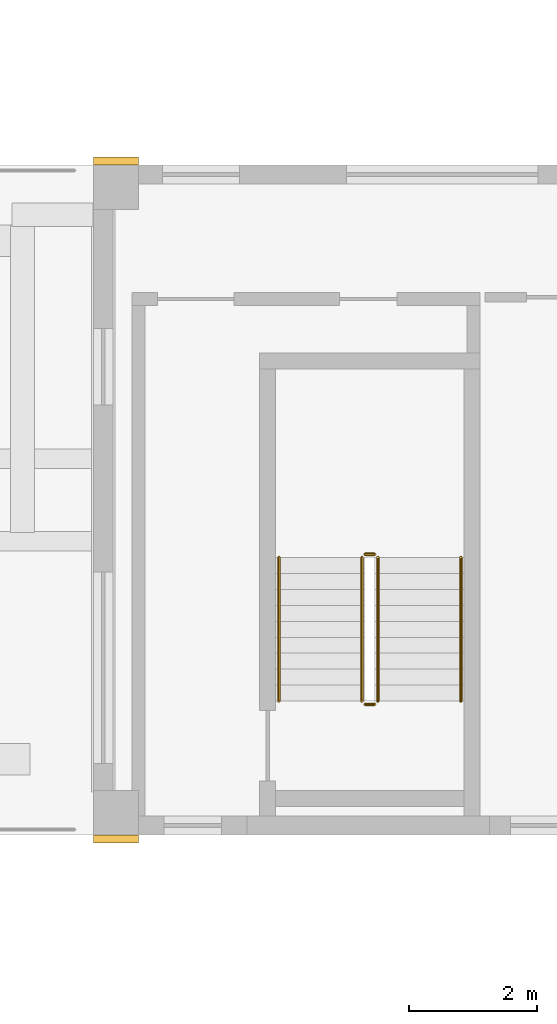
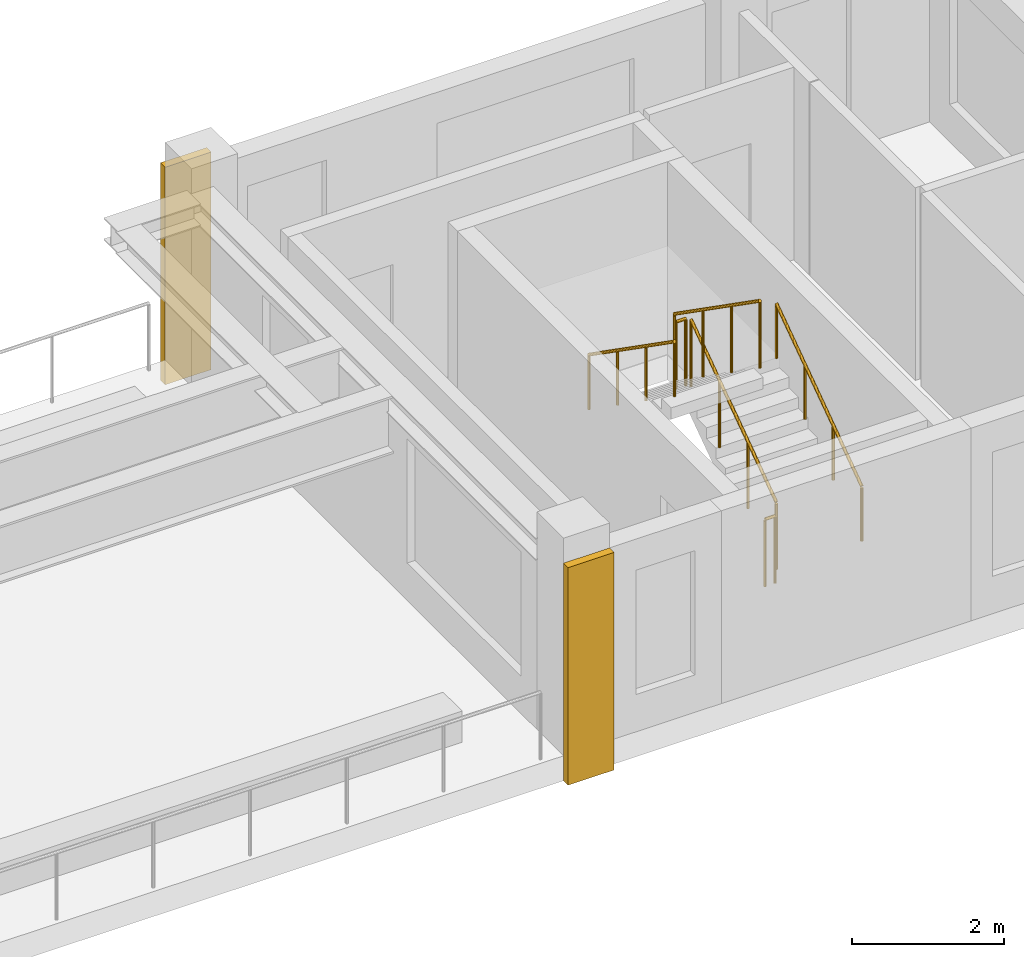
# One storey, part 9 of 10: 6 railings, 2 coverings.
"""IFC4 building model written with IfcOpenShell, lengths in metres."""

from ifc_helpers import new_model, si_unit, direction, frame, origin, origin_2d, place, context, subcontext, project, spatial, rectangle, circle, extrude, source, transform, mapped, material, type_object, element, save


model = new_model("IFC4")

# Units and contexts
model_context = context("Model", 3, precision=1e-05, world=origin(), true_north=direction((0.0, 1.0)))
body_context = subcontext(model_context, "Body", "Model", "MODEL_VIEW")
ifc_project = project(units=[si_unit("LENGTHUNIT", "METRE"), si_unit("AREAUNIT", "SQUARE_METRE"), si_unit("VOLUMEUNIT", "CUBIC_METRE"), si_unit("PLANEANGLEUNIT", "RADIAN"), si_unit("MASSUNIT", "GRAM", prefix="KILO")], contexts=[model_context])

# Site, building, storey
site_placement = place(None, origin())
site = spatial("IfcSite", under=ifc_project, at=site_placement, CompositionType="ELEMENT")
building_placement = place(site_placement, origin())
building = spatial("IfcBuilding", under=site, at=building_placement, Name="Aurelian Terraces", CompositionType="ELEMENT")
storey_placement = place(building_placement, frame((0.0, 0.0, 291.5)))
storey = spatial("IfcBuildingStorey", under=building, at=storey_placement, Name="L66", CompositionType="ELEMENT", Elevation=291.5)

# Coverings
ifc_material_1 = material(Name="Terracotta rainscreen cladding relief", Category="masonry")
covering_type = type_object("IfcCoveringType", Name="BAGUETTE-TC", PredefinedType="CLADDING", material=ifc_material_1)
shared_shape_1 = source(origin(), body_context, "Body", "SweptSolid", [
    extrude(rectangle(XDim=0.7, YDim=0.12, at=origin_2d()), origin(), (0.0, 0.0, 1.0), 3.5),
])
for number, where, z_axis, x_axis, name in (
    (1, (38.15, -0.06, -0.4), (0.0, 0.0, 1.0), (1.0, 0.0, 0.0), "BAGUETTE pier L66 2"),
    (2, (38.15, 10.56, -0.4), (0.0, 0.0, 1.0), (1.0, 0.0, 0.0), "BAGUETTE pier L66 3"),
):
    element("IfcCovering", number, at=place(storey_placement, frame(where, z_axis=z_axis, x_axis=x_axis)), inside=storey, type_object=covering_type, Name=name, PredefinedType="CLADDING", context=body_context, shape_type="MappedRepresentation", body=[
        mapped(shared_shape_1, transform((0.0, 0.0, 0.0), scale=1.0)),
    ])

# Railings
ifc_material_2 = material(Name="Stainless steel", Category="steel")
railing_type_1 = type_object("IfcRailingType", Name="Stair guard 1100", PredefinedType="GUARDRAIL", material=ifc_material_2)
shared_shape_2 = source(origin(), body_context, "Body", "SweptSolid", [
    extrude(circle(Radius=0.024, at=origin_2d()), frame((0.0, 0.0, 1.076), z_axis=(-1.0, 0.0, 0.0), x_axis=(0.0, -1.0, 0.0)), (0.0, 0.0, 1.0), 0.15),
    extrude(circle(Radius=0.021, at=origin_2d()), origin(), (0.0, 0.0, 1.0), 1.052),
    extrude(circle(Radius=0.021, at=origin_2d()), frame((-0.15, 0.0, 0.0)), (0.0, 0.0, 1.0), 1.052),
])
for number, where, name in (
    (3, (42.2, 4.4, 1.75), "L66 S2 stair guard 2"),
    (4, (42.2, 2.05, 0.0), "L66 S2 stair guard 4"),
):
    element("IfcRailing", number, at=place(storey_placement, frame(where)), inside=storey, type_object=railing_type_1, Name=name, PredefinedType="GUARDRAIL", context=body_context, shape_type="MappedRepresentation", body=[
        mapped(shared_shape_2, transform((0.0, 0.0, 0.0), scale=1.0)),
    ])
shared_shape_3 = source(origin(), body_context, "Body", "SweptSolid", [
    extrude(circle(Radius=0.024, at=origin_2d()), frame((0.0, 0.0, 1.076), z_axis=(0.0, 0.819231920519, 0.573462344363), x_axis=(-1.0, 0.0, 0.0)), (0.0, 0.0, 1.0), 2.7465),
    extrude(circle(Radius=0.021, at=origin_2d()), origin(), (0.0, 0.0, 1.0), 1.052),
    extrude(circle(Radius=0.021, at=origin_2d()), frame((0.0, 0.75, 0.525)), (0.0, 0.0, 1.0), 1.052),
    extrude(circle(Radius=0.021, at=origin_2d()), frame((0.0, 1.5, 1.05)), (0.0, 0.0, 1.0), 1.052),
    extrude(circle(Radius=0.021, at=origin_2d()), frame((0.0, 2.25, 1.575)), (0.0, 0.0, 1.0), 1.052),
])
railing_1_placement = place(storey_placement, frame((42.25, 2.1, 0.175)))
element("IfcRailing", 5, at=railing_1_placement, inside=storey, type_object=railing_type_1, Name="L66 S2 stair guard 1", PredefinedType="GUARDRAIL", context=body_context, shape_type="MappedRepresentation", body=[
    mapped(shared_shape_3, transform((0.0, 0.0, 0.0), scale=1.0)),
])
shared_shape_4 = source(origin(), body_context, "Body", "SweptSolid", [
    extrude(circle(Radius=0.024, at=origin_2d()), frame((0.0, 0.0, 1.076), z_axis=(0.0, -0.819231920519, 0.573462344363), x_axis=(1.0, 0.0, 0.0)), (0.0, 0.0, 1.0), 2.7465),
    extrude(circle(Radius=0.021, at=origin_2d()), origin(), (0.0, 0.0, 1.0), 1.052),
    extrude(circle(Radius=0.021, at=origin_2d()), frame((0.0, -0.75, 0.525)), (0.0, 0.0, 1.0), 1.052),
    extrude(circle(Radius=0.021, at=origin_2d()), frame((0.0, -1.5, 1.05)), (0.0, 0.0, 1.0), 1.052),
    extrude(circle(Radius=0.021, at=origin_2d()), frame((0.0, -2.25, 1.575)), (0.0, 0.0, 1.0), 1.052),
])
railing_2_placement = place(storey_placement, frame((42.0, 4.35, 1.925)))
element("IfcRailing", 6, at=railing_2_placement, inside=storey, type_object=railing_type_1, Name="L66 S2 stair guard 3", PredefinedType="GUARDRAIL", context=body_context, shape_type="MappedRepresentation", body=[
    mapped(shared_shape_4, transform((0.0, 0.0, 0.0), scale=1.0)),
])
railing_type_2 = type_object("IfcRailingType", Name="Stair handrail", PredefinedType="HANDRAIL", material=ifc_material_2)
shared_shape_5 = source(origin(), body_context, "Body", "SweptSolid", [
    extrude(circle(Radius=0.024, at=origin_2d()), frame((0.0, 0.0, 0.876), z_axis=(0.0, 0.819231920519, 0.573462344363), x_axis=(-1.0, 0.0, 0.0)), (0.0, 0.0, 1.0), 2.7465),
    extrude(circle(Radius=0.021, at=origin_2d()), origin(), (0.0, 0.0, 1.0), 0.852),
    extrude(circle(Radius=0.021, at=origin_2d()), frame((0.0, 0.75, 0.525)), (0.0, 0.0, 1.0), 0.852),
    extrude(circle(Radius=0.021, at=origin_2d()), frame((0.0, 1.5, 1.05)), (0.0, 0.0, 1.0), 0.852),
    extrude(circle(Radius=0.021, at=origin_2d()), frame((0.0, 2.25, 1.575)), (0.0, 0.0, 1.0), 0.852),
])
railing_3_placement = place(storey_placement, frame((43.55, 2.1, 0.175)))
element("IfcRailing", 7, at=railing_3_placement, inside=storey, type_object=railing_type_2, Name="L66 S2 stair handrail 1", PredefinedType="HANDRAIL", context=body_context, shape_type="MappedRepresentation", body=[
    mapped(shared_shape_5, transform((0.0, 0.0, 0.0), scale=1.0)),
])
shared_shape_6 = source(origin(), body_context, "Body", "SweptSolid", [
    extrude(circle(Radius=0.024, at=origin_2d()), frame((0.0, 0.0, 0.876), z_axis=(0.0, -0.819231920519, 0.573462344363), x_axis=(1.0, 0.0, 0.0)), (0.0, 0.0, 1.0), 2.7465),
    extrude(circle(Radius=0.021, at=origin_2d()), origin(), (0.0, 0.0, 1.0), 0.852),
    extrude(circle(Radius=0.021, at=origin_2d()), frame((0.0, -0.75, 0.525)), (0.0, 0.0, 1.0), 0.852),
    extrude(circle(Radius=0.021, at=origin_2d()), frame((0.0, -1.5, 1.05)), (0.0, 0.0, 1.0), 0.852),
    extrude(circle(Radius=0.021, at=origin_2d()), frame((0.0, -2.25, 1.575)), (0.0, 0.0, 1.0), 0.852),
])
railing_4_placement = place(storey_placement, frame((40.7, 4.35, 1.925)))
element("IfcRailing", 8, at=railing_4_placement, inside=storey, type_object=railing_type_2, Name="L66 S2 stair handrail 2", PredefinedType="HANDRAIL", context=body_context, shape_type="MappedRepresentation", body=[
    mapped(shared_shape_6, transform((0.0, 0.0, 0.0), scale=1.0)),
])

save(model, "model.ifc")
